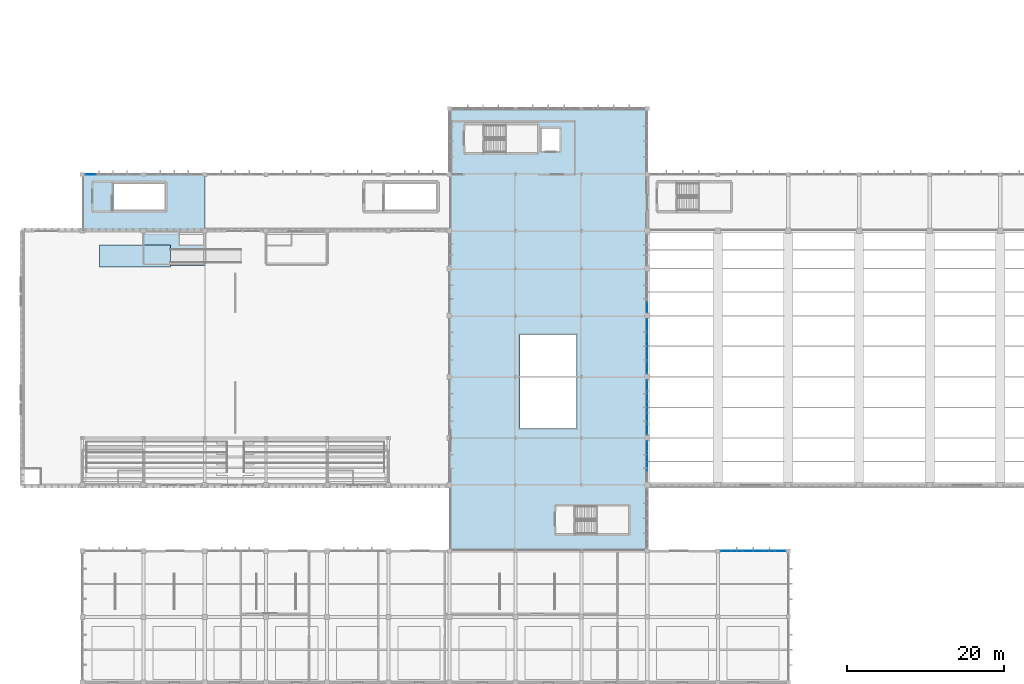
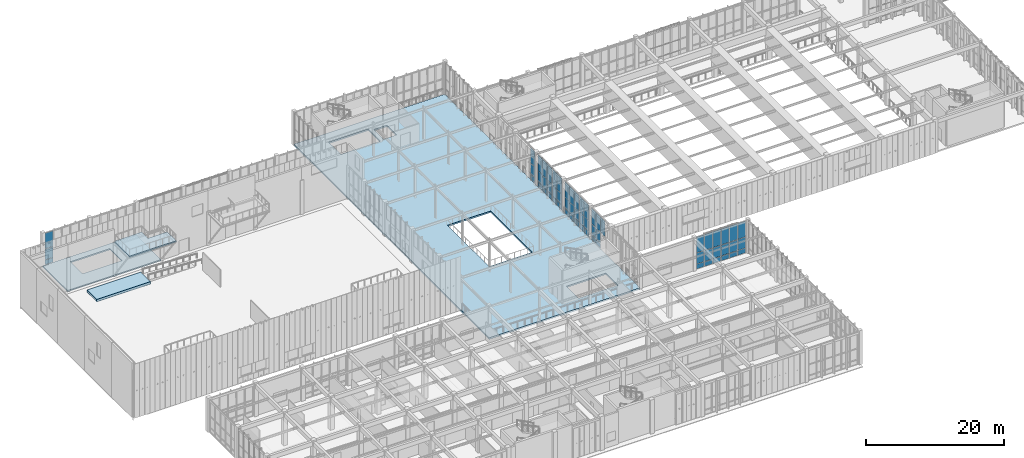
# One storey, part 59 of 105: 61 plates, 4 slabs, 6 elements without a shape of their own.
"""IFC4 building model written with IfcOpenShell, lengths in metres."""

from ifc_helpers import new_model, si_unit, direction, frame, origin, origin_2d, place, context, subcontext, project, spatial, polyline, rectangle, outline, extrude, material, layer, layer_set, type_object, element, aggregate, save


model = new_model("IFC4")

# Units and contexts
model_context = context("Model", 3, precision=1e-05, world=origin(), true_north=direction((0.0, 1.0)))
body_context = subcontext(model_context, "Body", "Model", "MODEL_VIEW")
ifc_project = project(units=[si_unit("LENGTHUNIT", "METRE"), si_unit("AREAUNIT", "SQUARE_METRE"), si_unit("VOLUMEUNIT", "CUBIC_METRE"), si_unit("PLANEANGLEUNIT", "RADIAN"), si_unit("MASSUNIT", "GRAM", prefix="KILO")], contexts=[model_context])

# Site, building, storey
site_placement = place(None, origin())
site = spatial("IfcSite", under=ifc_project, at=site_placement, CompositionType="ELEMENT")
building_placement = place(site_placement, origin())
building = spatial("IfcBuilding", under=site, at=building_placement, Name="Tizgana Railside Sports Hall", CompositionType="ELEMENT")
storey_placement = place(building_placement, frame((0.0, 0.0, 6.0)))
storey = spatial("IfcBuildingStorey", under=building, at=storey_placement, Name="L01", CompositionType="ELEMENT", Elevation=6.0)

# Curtain wall, plates
ifc_material_1 = material(Name="Anodised aluminium and glass", Category="aluminium")
curtain_wall_type_1 = type_object("IfcCurtainWallType", Name="Unitised Curtain Wall Foyer 1300", PredefinedType="NOTDEFINED", material=ifc_material_1)
curtain_wall_1_placement = place(storey_placement, origin())
curtain_wall_1 = element("IfcCurtainWall", 1, at=curtain_wall_1_placement, inside=storey, type_object=curtain_wall_type_1, Name="L01 Curtain Wall CW-0009", PredefinedType="NOTDEFINED")
ifc_material_2 = material(Name="Double low-E laminated glass", Category="glass")
ifc_layer_1 = layer(ifc_material_2, 0.033935546875, Name="Double low-E laminated glass")
ifc_layer_set_1 = layer_set([ifc_layer_1], Name="Double low-E laminated glass")
plate_type_1 = type_object("IfcPlateType", Name="Acoustic Laminated Glazing Panel 34", PredefinedType="CURTAIN_PANEL", material=ifc_layer_set_1)
plate_1_placement = place(storey_placement, frame((8.8603515625, 80.39990234375, 0.06494140625), z_axis=(0.0, 0.0, 1.0), x_axis=(1.0, 0.0, 0.0)))
plate_1 = element("IfcPlate", 2, at=plate_1_placement, type_object=plate_type_1, Name="CW-02 panel 1.1", PredefinedType="CURTAIN_PANEL", context=body_context, shape_type="SweptSolid", body=[
    extrude(rectangle(XDim=1.33056640625, YDim=0.033935546875, at=origin_2d()), origin(), (0.0, 0.0, 1.0), 0.802490234375),
])
plate_2_placement = place(storey_placement, frame((8.8603515625, 80.39990234375, 0.9326171875), z_axis=(0.0, 0.0, 1.0), x_axis=(1.0, 0.0, 0.0)))
plate_2 = element("IfcPlate", 3, at=plate_2_placement, type_object=plate_type_1, Name="CW-02 panel 1.2", PredefinedType="CURTAIN_PANEL", context=body_context, shape_type="SweptSolid", body=[
    extrude(rectangle(XDim=1.33056640625, YDim=0.033935546875, at=origin_2d()), origin(), (0.0, 0.0, 1.0), 1.885009765625),
])
plate_3_placement = place(storey_placement, frame((8.8603515625, 80.39990234375, 2.882568359375), z_axis=(0.0, 0.0, 1.0), x_axis=(1.0, 0.0, 0.0)))
plate_3 = element("IfcPlate", 4, at=plate_3_placement, type_object=plate_type_1, Name="CW-02 panel 1.3", PredefinedType="CURTAIN_PANEL", context=body_context, shape_type="SweptSolid", body=[
    extrude(rectangle(XDim=1.33056640625, YDim=0.033935546875, at=origin_2d()), origin(), (0.0, 0.0, 1.0), 2.75244140625),
])
aggregate(curtain_wall_1, [plate_1, plate_2, plate_3])

curtain_wall_2_placement = place(storey_placement, origin())
curtain_wall_2 = element("IfcCurtainWall", 5, at=curtain_wall_2_placement, inside=storey, type_object=curtain_wall_type_1, Name="L01 Curtain Wall CW-0161", PredefinedType="NOTDEFINED")
plate_4_placement = place(storey_placement, frame((79.800048828125, 47.90283203125, 0.05517578125), z_axis=(0.0, 0.0, 1.0), x_axis=(0.0, 1.0, 0.0)))
plate_4 = element("IfcPlate", 6, at=plate_4_placement, type_object=plate_type_1, Name="CW-02 panel 1.1", PredefinedType="CURTAIN_PANEL", context=body_context, shape_type="SweptSolid", body=[
    extrude(rectangle(XDim=1.29541015625, YDim=0.033935546875, at=origin_2d()), origin(), (0.0, 0.0, 1.0), 0.8173828125),
])
plate_5_placement = place(storey_placement, frame((79.800048828125, 47.90283203125, 0.927734375), z_axis=(0.0, 0.0, 1.0), x_axis=(0.0, 1.0, 0.0)))
plate_5 = element("IfcPlate", 7, at=plate_5_placement, type_object=plate_type_1, Name="CW-02 panel 1.2", PredefinedType="CURTAIN_PANEL", context=body_context, shape_type="SweptSolid", body=[
    extrude(rectangle(XDim=1.29541015625, YDim=0.033935546875, at=origin_2d()), origin(), (0.0, 0.0, 1.0), 1.889892578125),
])
plate_6_placement = place(storey_placement, frame((79.800048828125, 47.90283203125, 2.87255859375), z_axis=(0.0, 0.0, 1.0), x_axis=(0.0, 1.0, 0.0)))
plate_6 = element("IfcPlate", 8, at=plate_6_placement, type_object=plate_type_1, Name="CW-02 panel 1.3", PredefinedType="CURTAIN_PANEL", context=body_context, shape_type="SweptSolid", body=[
    extrude(rectangle(XDim=1.29541015625, YDim=0.033935546875, at=origin_2d()), origin(), (0.0, 0.0, 1.0), 2.762451171875),
])
plate_7_placement = place(storey_placement, frame((79.800048828125, 49.2919921875, 0.05517578125), z_axis=(0.0, 0.0, 1.0), x_axis=(0.0, 1.0, 0.0)))
plate_7 = element("IfcPlate", 9, at=plate_7_placement, type_object=plate_type_1, Name="CW-02 panel 2.1", PredefinedType="CURTAIN_PANEL", context=body_context, shape_type="SweptSolid", body=[
    extrude(rectangle(XDim=1.3330078125, YDim=0.033935546875, at=origin_2d()), origin(), (0.0, 0.0, 1.0), 0.8173828125),
])
plate_8_placement = place(storey_placement, frame((79.800048828125, 49.2919921875, 0.927734375), z_axis=(0.0, 0.0, 1.0), x_axis=(0.0, 1.0, 0.0)))
plate_8 = element("IfcPlate", 10, at=plate_8_placement, type_object=plate_type_1, Name="CW-02 panel 2.2", PredefinedType="CURTAIN_PANEL", context=body_context, shape_type="SweptSolid", body=[
    extrude(rectangle(XDim=1.3330078125, YDim=0.033935546875, at=origin_2d()), origin(), (0.0, 0.0, 1.0), 1.889892578125),
])
plate_9_placement = place(storey_placement, frame((79.800048828125, 49.2919921875, 2.87255859375), z_axis=(0.0, 0.0, 1.0), x_axis=(0.0, 1.0, 0.0)))
plate_9 = element("IfcPlate", 11, at=plate_9_placement, type_object=plate_type_1, Name="CW-02 panel 2.3", PredefinedType="CURTAIN_PANEL", context=body_context, shape_type="SweptSolid", body=[
    extrude(rectangle(XDim=1.3330078125, YDim=0.033935546875, at=origin_2d()), origin(), (0.0, 0.0, 1.0), 2.762451171875),
])
plate_10_placement = place(storey_placement, frame((79.800048828125, 50.699951171875, 0.05517578125), z_axis=(0.0, 0.0, 1.0), x_axis=(0.0, 1.0, 0.0)))
plate_10 = element("IfcPlate", 12, at=plate_10_placement, type_object=plate_type_1, Name="CW-02 panel 3.1", PredefinedType="CURTAIN_PANEL", context=body_context, shape_type="SweptSolid", body=[
    extrude(rectangle(XDim=1.3330078125, YDim=0.033935546875, at=origin_2d()), origin(), (0.0, 0.0, 1.0), 0.8173828125),
])
plate_11_placement = place(storey_placement, frame((79.800048828125, 50.699951171875, 0.927734375), z_axis=(0.0, 0.0, 1.0), x_axis=(0.0, 1.0, 0.0)))
plate_11 = element("IfcPlate", 13, at=plate_11_placement, type_object=plate_type_1, Name="CW-02 panel 3.2", PredefinedType="CURTAIN_PANEL", context=body_context, shape_type="SweptSolid", body=[
    extrude(rectangle(XDim=1.3330078125, YDim=0.033935546875, at=origin_2d()), origin(), (0.0, 0.0, 1.0), 1.889892578125),
])
plate_12_placement = place(storey_placement, frame((79.800048828125, 50.699951171875, 2.87255859375), z_axis=(0.0, 0.0, 1.0), x_axis=(0.0, 1.0, 0.0)))
plate_12 = element("IfcPlate", 14, at=plate_12_placement, type_object=plate_type_1, Name="CW-02 panel 3.3", PredefinedType="CURTAIN_PANEL", context=body_context, shape_type="SweptSolid", body=[
    extrude(rectangle(XDim=1.3330078125, YDim=0.033935546875, at=origin_2d()), origin(), (0.0, 0.0, 1.0), 2.762451171875),
])
plate_13_placement = place(storey_placement, frame((79.800048828125, 52.10791015625, 0.05517578125), z_axis=(0.0, 0.0, 1.0), x_axis=(0.0, 1.0, 0.0)))
plate_13 = element("IfcPlate", 15, at=plate_13_placement, type_object=plate_type_1, Name="CW-02 panel 4.1", PredefinedType="CURTAIN_PANEL", context=body_context, shape_type="SweptSolid", body=[
    extrude(rectangle(XDim=1.3330078125, YDim=0.033935546875, at=origin_2d()), origin(), (0.0, 0.0, 1.0), 0.8173828125),
])
plate_14_placement = place(storey_placement, frame((79.800048828125, 52.10791015625, 0.927734375), z_axis=(0.0, 0.0, 1.0), x_axis=(0.0, 1.0, 0.0)))
plate_14 = element("IfcPlate", 16, at=plate_14_placement, type_object=plate_type_1, Name="CW-02 panel 4.2", PredefinedType="CURTAIN_PANEL", context=body_context, shape_type="SweptSolid", body=[
    extrude(rectangle(XDim=1.3330078125, YDim=0.033935546875, at=origin_2d()), origin(), (0.0, 0.0, 1.0), 1.889892578125),
])
plate_15_placement = place(storey_placement, frame((79.800048828125, 52.10791015625, 2.87255859375), z_axis=(0.0, 0.0, 1.0), x_axis=(0.0, 1.0, 0.0)))
plate_15 = element("IfcPlate", 17, at=plate_15_placement, type_object=plate_type_1, Name="CW-02 panel 4.3", PredefinedType="CURTAIN_PANEL", context=body_context, shape_type="SweptSolid", body=[
    extrude(rectangle(XDim=1.3330078125, YDim=0.033935546875, at=origin_2d()), origin(), (0.0, 0.0, 1.0), 2.762451171875),
])
plate_16_placement = place(storey_placement, frame((79.800048828125, 53.497314453125, 0.05517578125), z_axis=(0.0, 0.0, 1.0), x_axis=(0.0, 1.0, 0.0)))
plate_16 = element("IfcPlate", 18, at=plate_16_placement, type_object=plate_type_1, Name="CW-02 panel 5.1", PredefinedType="CURTAIN_PANEL", context=body_context, shape_type="SweptSolid", body=[
    extrude(rectangle(XDim=1.29541015625, YDim=0.033935546875, at=origin_2d()), origin(), (0.0, 0.0, 1.0), 0.8173828125),
])
plate_17_placement = place(storey_placement, frame((79.800048828125, 53.497314453125, 0.927734375), z_axis=(0.0, 0.0, 1.0), x_axis=(0.0, 1.0, 0.0)))
plate_17 = element("IfcPlate", 19, at=plate_17_placement, type_object=plate_type_1, Name="CW-02 panel 5.2", PredefinedType="CURTAIN_PANEL", context=body_context, shape_type="SweptSolid", body=[
    extrude(rectangle(XDim=1.29541015625, YDim=0.033935546875, at=origin_2d()), origin(), (0.0, 0.0, 1.0), 1.889892578125),
])
plate_18_placement = place(storey_placement, frame((79.800048828125, 53.497314453125, 2.87255859375), z_axis=(0.0, 0.0, 1.0), x_axis=(0.0, 1.0, 0.0)))
plate_18 = element("IfcPlate", 20, at=plate_18_placement, type_object=plate_type_1, Name="CW-02 panel 5.3", PredefinedType="CURTAIN_PANEL", context=body_context, shape_type="SweptSolid", body=[
    extrude(rectangle(XDim=1.29541015625, YDim=0.033935546875, at=origin_2d()), origin(), (0.0, 0.0, 1.0), 2.762451171875),
])
aggregate(curtain_wall_2, [plate_4, plate_5, plate_6, plate_7, plate_8, plate_9, plate_10, plate_11, plate_12, plate_13, plate_14, plate_15, plate_16, plate_17, plate_18])

curtain_wall_type_2 = type_object("IfcCurtainWallType", Name="Unitised Curtain Wall Passage 1800", PredefinedType="NOTDEFINED", material=ifc_material_1)
curtain_wall_3_placement = place(storey_placement, origin())
curtain_wall_3 = element("IfcCurtainWall", 21, at=curtain_wall_3_placement, inside=storey, type_object=curtain_wall_type_2, Name="L01 Curtain Wall CW-0165", PredefinedType="NOTDEFINED")
plate_19_placement = place(storey_placement, frame((79.800048828125, 63.451171875, 0.06494140625), z_axis=(0.0, 0.0, 1.0), x_axis=(0.0, 1.0, 0.0)))
plate_19 = element("IfcPlate", 22, at=plate_19_placement, type_object=plate_type_1, Name="CW-06 panel 1.1", PredefinedType="CURTAIN_PANEL", context=body_context, shape_type="SweptSolid", body=[
    extrude(rectangle(XDim=1.21240234375, YDim=0.033935546875, at=origin_2d()), origin(), (0.0, 0.0, 1.0), 0.802490234375),
])
plate_20_placement = place(storey_placement, frame((79.800048828125, 63.451171875, 0.9326171875), z_axis=(0.0, 0.0, 1.0), x_axis=(0.0, 1.0, 0.0)))
plate_20 = element("IfcPlate", 23, at=plate_20_placement, type_object=plate_type_1, Name="CW-06 panel 1.2", PredefinedType="CURTAIN_PANEL", context=body_context, shape_type="SweptSolid", body=[
    extrude(rectangle(XDim=1.21240234375, YDim=0.033935546875, at=origin_2d()), origin(), (0.0, 0.0, 1.0), 1.8798828125),
])
plate_21_placement = place(storey_placement, frame((79.800048828125, 63.451171875, 2.87744140625), z_axis=(0.0, 0.0, 1.0), x_axis=(0.0, 1.0, 0.0)))
plate_21 = element("IfcPlate", 24, at=plate_21_placement, type_object=plate_type_1, Name="CW-06 panel 1.3", PredefinedType="CURTAIN_PANEL", context=body_context, shape_type="SweptSolid", body=[
    extrude(rectangle(XDim=1.21240234375, YDim=0.033935546875, at=origin_2d()), origin(), (0.0, 0.0, 1.0), 2.74755859375),
])
aggregate(curtain_wall_3, [plate_19, plate_20, plate_21])

curtain_wall_type_3 = type_object("IfcCurtainWallType", Name="Unitised Curtain Wall EastHall 1500", PredefinedType="NOTDEFINED", material=ifc_material_1)
curtain_wall_4_placement = place(storey_placement, origin())
curtain_wall_4 = element("IfcCurtainWall", 25, at=curtain_wall_4_placement, inside=storey, type_object=curtain_wall_type_3, Name="L01 Curtain Wall CW-0095", PredefinedType="NOTDEFINED")
ifc_layer_2 = layer(ifc_material_2, 0.031982421875, Name="Double low-E laminated glass")
ifc_layer_set_2 = layer_set([ifc_layer_2], Name="Double low-E laminated glass")
plate_type_2 = type_object("IfcPlateType", Name="North-Light Clerestory Glazing Panel 32", PredefinedType="CURTAIN_PANEL", material=ifc_layer_set_2)
plate_22_placement = place(storey_placement, frame((89.84375, 32.39990234375, 0.05517578125), z_axis=(0.0, 0.0, 1.0), x_axis=(1.0, 0.0, 0.0)))
plate_22 = element("IfcPlate", 26, at=plate_22_placement, type_object=plate_type_2, Name="CW-08 panel 1.1", PredefinedType="CURTAIN_PANEL", context=body_context, shape_type="SweptSolid", body=[
    extrude(rectangle(XDim=1.277587890625, YDim=0.031982421875, at=origin_2d()), origin(), (0.0, 0.0, 1.0), 0.8173828125),
])
plate_23_placement = place(storey_placement, frame((89.84375, 32.39990234375, 0.92724609375), z_axis=(0.0, 0.0, 1.0), x_axis=(1.0, 0.0, 0.0)))
plate_23 = element("IfcPlate", 27, at=plate_23_placement, type_object=plate_type_2, Name="CW-08 panel 1.2", PredefinedType="CURTAIN_PANEL", context=body_context, shape_type="SweptSolid", body=[
    extrude(rectangle(XDim=1.277587890625, YDim=0.031982421875, at=origin_2d()), origin(), (0.0, 0.0, 1.0), 1.905029296875),
])
plate_24_placement = place(storey_placement, frame((89.84375, 32.39990234375, 2.8876953125), z_axis=(0.0, 0.0, 1.0), x_axis=(1.0, 0.0, 0.0)))
plate_24 = element("IfcPlate", 28, at=plate_24_placement, type_object=plate_type_2, Name="CW-08 panel 1.3", PredefinedType="CURTAIN_PANEL", context=body_context, shape_type="SweptSolid", body=[
    extrude(rectangle(XDim=1.277587890625, YDim=0.031982421875, at=origin_2d()), origin(), (0.0, 0.0, 1.0), 2.777587890625),
])
plate_25_placement = place(storey_placement, frame((91.215087890625, 32.39990234375, 0.05517578125), z_axis=(0.0, 0.0, 1.0), x_axis=(1.0, 0.0, 0.0)))
plate_25 = element("IfcPlate", 29, at=plate_25_placement, type_object=plate_type_2, Name="CW-08 panel 2.1", PredefinedType="CURTAIN_PANEL", context=body_context, shape_type="SweptSolid", body=[
    extrude(rectangle(XDim=1.31494140625, YDim=0.031982421875, at=origin_2d()), origin(), (0.0, 0.0, 1.0), 0.8173828125),
])
plate_26_placement = place(storey_placement, frame((91.215087890625, 32.39990234375, 0.92724609375), z_axis=(0.0, 0.0, 1.0), x_axis=(1.0, 0.0, 0.0)))
plate_26 = element("IfcPlate", 30, at=plate_26_placement, type_object=plate_type_2, Name="CW-08 panel 2.2", PredefinedType="CURTAIN_PANEL", context=body_context, shape_type="SweptSolid", body=[
    extrude(rectangle(XDim=1.31494140625, YDim=0.031982421875, at=origin_2d()), origin(), (0.0, 0.0, 1.0), 1.905029296875),
])
plate_27_placement = place(storey_placement, frame((91.215087890625, 32.39990234375, 2.8876953125), z_axis=(0.0, 0.0, 1.0), x_axis=(1.0, 0.0, 0.0)))
plate_27 = element("IfcPlate", 31, at=plate_27_placement, type_object=plate_type_2, Name="CW-08 panel 2.3", PredefinedType="CURTAIN_PANEL", context=body_context, shape_type="SweptSolid", body=[
    extrude(rectangle(XDim=1.31494140625, YDim=0.031982421875, at=origin_2d()), origin(), (0.0, 0.0, 1.0), 2.777587890625),
])
plate_28_placement = place(storey_placement, frame((92.60498046875, 32.39990234375, 0.05517578125), z_axis=(0.0, 0.0, 1.0), x_axis=(1.0, 0.0, 0.0)))
plate_28 = element("IfcPlate", 32, at=plate_28_placement, type_object=plate_type_2, Name="CW-08 panel 3.1", PredefinedType="CURTAIN_PANEL", context=body_context, shape_type="SweptSolid", body=[
    extrude(rectangle(XDim=1.31494140625, YDim=0.031982421875, at=origin_2d()), origin(), (0.0, 0.0, 1.0), 0.8173828125),
])
plate_29_placement = place(storey_placement, frame((92.60498046875, 32.39990234375, 0.92724609375), z_axis=(0.0, 0.0, 1.0), x_axis=(1.0, 0.0, 0.0)))
plate_29 = element("IfcPlate", 33, at=plate_29_placement, type_object=plate_type_2, Name="CW-08 panel 3.2", PredefinedType="CURTAIN_PANEL", context=body_context, shape_type="SweptSolid", body=[
    extrude(rectangle(XDim=1.31494140625, YDim=0.031982421875, at=origin_2d()), origin(), (0.0, 0.0, 1.0), 1.905029296875),
])
plate_30_placement = place(storey_placement, frame((92.60498046875, 32.39990234375, 2.8876953125), z_axis=(0.0, 0.0, 1.0), x_axis=(1.0, 0.0, 0.0)))
plate_30 = element("IfcPlate", 34, at=plate_30_placement, type_object=plate_type_2, Name="CW-08 panel 3.3", PredefinedType="CURTAIN_PANEL", context=body_context, shape_type="SweptSolid", body=[
    extrude(rectangle(XDim=1.31494140625, YDim=0.031982421875, at=origin_2d()), origin(), (0.0, 0.0, 1.0), 2.777587890625),
])
plate_31_placement = place(storey_placement, frame((93.9951171875, 32.39990234375, 0.05517578125), z_axis=(0.0, 0.0, 1.0), x_axis=(1.0, 0.0, 0.0)))
plate_31 = element("IfcPlate", 35, at=plate_31_placement, type_object=plate_type_2, Name="CW-08 panel 4.1", PredefinedType="CURTAIN_PANEL", context=body_context, shape_type="SweptSolid", body=[
    extrude(rectangle(XDim=1.31494140625, YDim=0.031982421875, at=origin_2d()), origin(), (0.0, 0.0, 1.0), 0.8173828125),
])
plate_32_placement = place(storey_placement, frame((93.9951171875, 32.39990234375, 0.92724609375), z_axis=(0.0, 0.0, 1.0), x_axis=(1.0, 0.0, 0.0)))
plate_32 = element("IfcPlate", 36, at=plate_32_placement, type_object=plate_type_2, Name="CW-08 panel 4.2", PredefinedType="CURTAIN_PANEL", context=body_context, shape_type="SweptSolid", body=[
    extrude(rectangle(XDim=1.31494140625, YDim=0.031982421875, at=origin_2d()), origin(), (0.0, 0.0, 1.0), 1.905029296875),
])
plate_33_placement = place(storey_placement, frame((93.9951171875, 32.39990234375, 2.8876953125), z_axis=(0.0, 0.0, 1.0), x_axis=(1.0, 0.0, 0.0)))
plate_33 = element("IfcPlate", 37, at=plate_33_placement, type_object=plate_type_2, Name="CW-08 panel 4.3", PredefinedType="CURTAIN_PANEL", context=body_context, shape_type="SweptSolid", body=[
    extrude(rectangle(XDim=1.31494140625, YDim=0.031982421875, at=origin_2d()), origin(), (0.0, 0.0, 1.0), 2.777587890625),
])
plate_34_placement = place(storey_placement, frame((95.385009765625, 32.39990234375, 0.05517578125), z_axis=(0.0, 0.0, 1.0), x_axis=(1.0, 0.0, 0.0)))
plate_34 = element("IfcPlate", 38, at=plate_34_placement, type_object=plate_type_2, Name="CW-08 panel 5.1", PredefinedType="CURTAIN_PANEL", context=body_context, shape_type="SweptSolid", body=[
    extrude(rectangle(XDim=1.31494140625, YDim=0.031982421875, at=origin_2d()), origin(), (0.0, 0.0, 1.0), 0.8173828125),
])
plate_35_placement = place(storey_placement, frame((95.385009765625, 32.39990234375, 0.92724609375), z_axis=(0.0, 0.0, 1.0), x_axis=(1.0, 0.0, 0.0)))
plate_35 = element("IfcPlate", 39, at=plate_35_placement, type_object=plate_type_2, Name="CW-08 panel 5.2", PredefinedType="CURTAIN_PANEL", context=body_context, shape_type="SweptSolid", body=[
    extrude(rectangle(XDim=1.31494140625, YDim=0.031982421875, at=origin_2d()), origin(), (0.0, 0.0, 1.0), 1.905029296875),
])
plate_36_placement = place(storey_placement, frame((95.385009765625, 32.39990234375, 2.8876953125), z_axis=(0.0, 0.0, 1.0), x_axis=(1.0, 0.0, 0.0)))
plate_36 = element("IfcPlate", 40, at=plate_36_placement, type_object=plate_type_2, Name="CW-08 panel 5.3", PredefinedType="CURTAIN_PANEL", context=body_context, shape_type="SweptSolid", body=[
    extrude(rectangle(XDim=1.31494140625, YDim=0.031982421875, at=origin_2d()), origin(), (0.0, 0.0, 1.0), 2.777587890625),
])
plate_37_placement = place(storey_placement, frame((96.75634765625, 32.39990234375, 0.05517578125), z_axis=(0.0, 0.0, 1.0), x_axis=(1.0, 0.0, 0.0)))
plate_37 = element("IfcPlate", 41, at=plate_37_placement, type_object=plate_type_2, Name="CW-08 panel 6.1", PredefinedType="CURTAIN_PANEL", context=body_context, shape_type="SweptSolid", body=[
    extrude(rectangle(XDim=1.277587890625, YDim=0.031982421875, at=origin_2d()), origin(), (0.0, 0.0, 1.0), 0.8173828125),
])
plate_38_placement = place(storey_placement, frame((96.75634765625, 32.39990234375, 0.92724609375), z_axis=(0.0, 0.0, 1.0), x_axis=(1.0, 0.0, 0.0)))
plate_38 = element("IfcPlate", 42, at=plate_38_placement, type_object=plate_type_2, Name="CW-08 panel 6.2", PredefinedType="CURTAIN_PANEL", context=body_context, shape_type="SweptSolid", body=[
    extrude(rectangle(XDim=1.277587890625, YDim=0.031982421875, at=origin_2d()), origin(), (0.0, 0.0, 1.0), 1.905029296875),
])
plate_39_placement = place(storey_placement, frame((96.75634765625, 32.39990234375, 2.8876953125), z_axis=(0.0, 0.0, 1.0), x_axis=(1.0, 0.0, 0.0)))
plate_39 = element("IfcPlate", 43, at=plate_39_placement, type_object=plate_type_2, Name="CW-08 panel 6.3", PredefinedType="CURTAIN_PANEL", context=body_context, shape_type="SweptSolid", body=[
    extrude(rectangle(XDim=1.277587890625, YDim=0.031982421875, at=origin_2d()), origin(), (0.0, 0.0, 1.0), 2.777587890625),
])
aggregate(curtain_wall_4, [plate_22, plate_23, plate_24, plate_25, plate_26, plate_27, plate_28, plate_29, plate_30, plate_31, plate_32, plate_33, plate_34, plate_35, plate_36, plate_37, plate_38, plate_39])

curtain_wall_5_placement = place(storey_placement, origin())
curtain_wall_5 = element("IfcCurtainWall", 44, at=curtain_wall_5_placement, inside=storey, type_object=curtain_wall_type_3, Name="L01 Curtain Wall CW-0159", PredefinedType="NOTDEFINED")
plate_40_placement = place(storey_placement, frame((79.800048828125, 43.16064453125, 2.87744140625), z_axis=(0.0, 0.0, 1.0), x_axis=(0.0, 1.0, 0.0)))
plate_40 = element("IfcPlate", 45, at=plate_40_placement, type_object=plate_type_2, Name="CW-08 panel 2.3", PredefinedType="CURTAIN_PANEL", context=body_context, shape_type="SweptSolid", body=[
    extrude(rectangle(XDim=1.23876953125, YDim=0.031982421875, at=origin_2d()), origin(), (0.0, 0.0, 1.0), 2.74755859375),
])
plate_41_placement = place(storey_placement, frame((79.800048828125, 44.46435546875, 0.06494140625), z_axis=(0.0, 0.0, 1.0), x_axis=(0.0, 1.0, 0.0)))
plate_41 = element("IfcPlate", 46, at=plate_41_placement, type_object=plate_type_2, Name="CW-08 panel 3.1", PredefinedType="CURTAIN_PANEL", context=body_context, shape_type="SweptSolid", body=[
    extrude(rectangle(XDim=1.23876953125, YDim=0.031982421875, at=origin_2d()), origin(), (0.0, 0.0, 1.0), 0.802490234375),
])
plate_42_placement = place(storey_placement, frame((79.800048828125, 44.46435546875, 0.9326171875), z_axis=(0.0, 0.0, 1.0), x_axis=(0.0, 1.0, 0.0)))
plate_42 = element("IfcPlate", 47, at=plate_42_placement, type_object=plate_type_2, Name="CW-08 panel 3.2", PredefinedType="CURTAIN_PANEL", context=body_context, shape_type="SweptSolid", body=[
    extrude(rectangle(XDim=1.23876953125, YDim=0.031982421875, at=origin_2d()), origin(), (0.0, 0.0, 1.0), 1.8798828125),
])
plate_43_placement = place(storey_placement, frame((79.800048828125, 44.46435546875, 2.87744140625), z_axis=(0.0, 0.0, 1.0), x_axis=(0.0, 1.0, 0.0)))
plate_43 = element("IfcPlate", 48, at=plate_43_placement, type_object=plate_type_2, Name="CW-08 panel 3.3", PredefinedType="CURTAIN_PANEL", context=body_context, shape_type="SweptSolid", body=[
    extrude(rectangle(XDim=1.23876953125, YDim=0.031982421875, at=origin_2d()), origin(), (0.0, 0.0, 1.0), 2.74755859375),
])
plate_44_placement = place(storey_placement, frame((79.800048828125, 45.751953125, 0.06494140625), z_axis=(0.0, 0.0, 1.0), x_axis=(0.0, 1.0, 0.0)))
plate_44 = element("IfcPlate", 49, at=plate_44_placement, type_object=plate_type_2, Name="CW-08 panel 4.1", PredefinedType="CURTAIN_PANEL", context=body_context, shape_type="SweptSolid", body=[
    extrude(rectangle(XDim=1.206298828125, YDim=0.031982421875, at=origin_2d()), origin(), (0.0, 0.0, 1.0), 0.802490234375),
])
plate_45_placement = place(storey_placement, frame((79.800048828125, 45.751953125, 0.9326171875), z_axis=(0.0, 0.0, 1.0), x_axis=(0.0, 1.0, 0.0)))
plate_45 = element("IfcPlate", 50, at=plate_45_placement, type_object=plate_type_2, Name="CW-08 panel 4.2", PredefinedType="CURTAIN_PANEL", context=body_context, shape_type="SweptSolid", body=[
    extrude(rectangle(XDim=1.206298828125, YDim=0.031982421875, at=origin_2d()), origin(), (0.0, 0.0, 1.0), 1.8798828125),
])
plate_46_placement = place(storey_placement, frame((79.800048828125, 45.751953125, 2.87744140625), z_axis=(0.0, 0.0, 1.0), x_axis=(0.0, 1.0, 0.0)))
plate_46 = element("IfcPlate", 51, at=plate_46_placement, type_object=plate_type_2, Name="CW-08 panel 4.3", PredefinedType="CURTAIN_PANEL", context=body_context, shape_type="SweptSolid", body=[
    extrude(rectangle(XDim=1.206298828125, YDim=0.031982421875, at=origin_2d()), origin(), (0.0, 0.0, 1.0), 2.74755859375),
])
aggregate(curtain_wall_5, [plate_40, plate_41, plate_42, plate_43, plate_44, plate_45, plate_46])

curtain_wall_type_4 = type_object("IfcCurtainWallType", Name="Unitised Curtain Wall Climbing 1600", PredefinedType="NOTDEFINED", material=ifc_material_1)
curtain_wall_6_placement = place(storey_placement, origin())
curtain_wall_6 = element("IfcCurtainWall", 52, at=curtain_wall_6_placement, inside=storey, type_object=curtain_wall_type_4, Name="L01 Curtain Wall CW-0163", PredefinedType="NOTDEFINED")
plate_47_placement = place(storey_placement, frame((79.800048828125, 55.698974609375, 0.06005859375), z_axis=(0.0, 0.0, 1.0), x_axis=(0.0, 1.0, 0.0)))
plate_47 = element("IfcPlate", 53, at=plate_47_placement, type_object=plate_type_2, Name="CW-04 panel 1.1", PredefinedType="CURTAIN_PANEL", context=body_context, shape_type="SweptSolid", body=[
    extrude(rectangle(XDim=1.318115234375, YDim=0.031982421875, at=origin_2d()), origin(), (0.0, 0.0, 1.0), 0.81005859375),
])
plate_48_placement = place(storey_placement, frame((79.800048828125, 55.698974609375, 0.93017578125), z_axis=(0.0, 0.0, 1.0), x_axis=(0.0, 1.0, 0.0)))
plate_48 = element("IfcPlate", 54, at=plate_48_placement, type_object=plate_type_2, Name="CW-04 panel 1.2", PredefinedType="CURTAIN_PANEL", context=body_context, shape_type="SweptSolid", body=[
    extrude(rectangle(XDim=1.318115234375, YDim=0.031982421875, at=origin_2d()), origin(), (0.0, 0.0, 1.0), 1.885009765625),
])
plate_49_placement = place(storey_placement, frame((79.800048828125, 55.698974609375, 2.875), z_axis=(0.0, 0.0, 1.0), x_axis=(0.0, 1.0, 0.0)))
plate_49 = element("IfcPlate", 55, at=plate_49_placement, type_object=plate_type_2, Name="CW-04 panel 1.3", PredefinedType="CURTAIN_PANEL", context=body_context, shape_type="SweptSolid", body=[
    extrude(rectangle(XDim=1.318115234375, YDim=0.031982421875, at=origin_2d()), origin(), (0.0, 0.0, 1.0), 2.7548828125),
])
plate_50_placement = place(storey_placement, frame((79.800048828125, 57.092041015625, 0.06005859375), z_axis=(0.0, 0.0, 1.0), x_axis=(0.0, 1.0, 0.0)))
plate_50 = element("IfcPlate", 56, at=plate_50_placement, type_object=plate_type_2, Name="CW-04 panel 2.1", PredefinedType="CURTAIN_PANEL", context=body_context, shape_type="SweptSolid", body=[
    extrude(rectangle(XDim=1.347900390625, YDim=0.031982421875, at=origin_2d()), origin(), (0.0, 0.0, 1.0), 0.81005859375),
])
plate_51_placement = place(storey_placement, frame((79.800048828125, 57.092041015625, 0.93017578125), z_axis=(0.0, 0.0, 1.0), x_axis=(0.0, 1.0, 0.0)))
plate_51 = element("IfcPlate", 57, at=plate_51_placement, type_object=plate_type_2, Name="CW-04 panel 2.2", PredefinedType="CURTAIN_PANEL", context=body_context, shape_type="SweptSolid", body=[
    extrude(rectangle(XDim=1.347900390625, YDim=0.031982421875, at=origin_2d()), origin(), (0.0, 0.0, 1.0), 1.885009765625),
])
plate_52_placement = place(storey_placement, frame((79.800048828125, 57.092041015625, 2.875), z_axis=(0.0, 0.0, 1.0), x_axis=(0.0, 1.0, 0.0)))
plate_52 = element("IfcPlate", 58, at=plate_52_placement, type_object=plate_type_2, Name="CW-04 panel 2.3", PredefinedType="CURTAIN_PANEL", context=body_context, shape_type="SweptSolid", body=[
    extrude(rectangle(XDim=1.347900390625, YDim=0.031982421875, at=origin_2d()), origin(), (0.0, 0.0, 1.0), 2.7548828125),
])
plate_53_placement = place(storey_placement, frame((79.800048828125, 58.5, 0.06005859375), z_axis=(0.0, 0.0, 1.0), x_axis=(0.0, 1.0, 0.0)))
plate_53 = element("IfcPlate", 59, at=plate_53_placement, type_object=plate_type_2, Name="CW-04 panel 3.1", PredefinedType="CURTAIN_PANEL", context=body_context, shape_type="SweptSolid", body=[
    extrude(rectangle(XDim=1.347900390625, YDim=0.031982421875, at=origin_2d()), origin(), (0.0, 0.0, 1.0), 0.81005859375),
])
plate_54_placement = place(storey_placement, frame((79.800048828125, 58.5, 0.93017578125), z_axis=(0.0, 0.0, 1.0), x_axis=(0.0, 1.0, 0.0)))
plate_54 = element("IfcPlate", 60, at=plate_54_placement, type_object=plate_type_2, Name="CW-04 panel 3.2", PredefinedType="CURTAIN_PANEL", context=body_context, shape_type="SweptSolid", body=[
    extrude(rectangle(XDim=1.347900390625, YDim=0.031982421875, at=origin_2d()), origin(), (0.0, 0.0, 1.0), 1.885009765625),
])
plate_55_placement = place(storey_placement, frame((79.800048828125, 58.5, 2.875), z_axis=(0.0, 0.0, 1.0), x_axis=(0.0, 1.0, 0.0)))
plate_55 = element("IfcPlate", 61, at=plate_55_placement, type_object=plate_type_2, Name="CW-04 panel 3.3", PredefinedType="CURTAIN_PANEL", context=body_context, shape_type="SweptSolid", body=[
    extrude(rectangle(XDim=1.347900390625, YDim=0.031982421875, at=origin_2d()), origin(), (0.0, 0.0, 1.0), 2.7548828125),
])
plate_56_placement = place(storey_placement, frame((79.800048828125, 59.907958984375, 0.06005859375), z_axis=(0.0, 0.0, 1.0), x_axis=(0.0, 1.0, 0.0)))
plate_56 = element("IfcPlate", 62, at=plate_56_placement, type_object=plate_type_2, Name="CW-04 panel 4.1", PredefinedType="CURTAIN_PANEL", context=body_context, shape_type="SweptSolid", body=[
    extrude(rectangle(XDim=1.347900390625, YDim=0.031982421875, at=origin_2d()), origin(), (0.0, 0.0, 1.0), 0.81005859375),
])
plate_57_placement = place(storey_placement, frame((79.800048828125, 59.907958984375, 0.93017578125), z_axis=(0.0, 0.0, 1.0), x_axis=(0.0, 1.0, 0.0)))
plate_57 = element("IfcPlate", 63, at=plate_57_placement, type_object=plate_type_2, Name="CW-04 panel 4.2", PredefinedType="CURTAIN_PANEL", context=body_context, shape_type="SweptSolid", body=[
    extrude(rectangle(XDim=1.347900390625, YDim=0.031982421875, at=origin_2d()), origin(), (0.0, 0.0, 1.0), 1.885009765625),
])
plate_58_placement = place(storey_placement, frame((79.800048828125, 59.907958984375, 2.875), z_axis=(0.0, 0.0, 1.0), x_axis=(0.0, 1.0, 0.0)))
plate_58 = element("IfcPlate", 64, at=plate_58_placement, type_object=plate_type_2, Name="CW-04 panel 4.3", PredefinedType="CURTAIN_PANEL", context=body_context, shape_type="SweptSolid", body=[
    extrude(rectangle(XDim=1.347900390625, YDim=0.031982421875, at=origin_2d()), origin(), (0.0, 0.0, 1.0), 2.7548828125),
])
plate_59_placement = place(storey_placement, frame((79.800048828125, 61.301025390625, 0.06005859375), z_axis=(0.0, 0.0, 1.0), x_axis=(0.0, 1.0, 0.0)))
plate_59 = element("IfcPlate", 65, at=plate_59_placement, type_object=plate_type_2, Name="CW-04 panel 5.1", PredefinedType="CURTAIN_PANEL", context=body_context, shape_type="SweptSolid", body=[
    extrude(rectangle(XDim=1.318115234375, YDim=0.031982421875, at=origin_2d()), origin(), (0.0, 0.0, 1.0), 0.81005859375),
])
plate_60_placement = place(storey_placement, frame((79.800048828125, 61.301025390625, 0.93017578125), z_axis=(0.0, 0.0, 1.0), x_axis=(0.0, 1.0, 0.0)))
plate_60 = element("IfcPlate", 66, at=plate_60_placement, type_object=plate_type_2, Name="CW-04 panel 5.2", PredefinedType="CURTAIN_PANEL", context=body_context, shape_type="SweptSolid", body=[
    extrude(rectangle(XDim=1.318115234375, YDim=0.031982421875, at=origin_2d()), origin(), (0.0, 0.0, 1.0), 1.885009765625),
])
plate_61_placement = place(storey_placement, frame((79.800048828125, 61.301025390625, 2.875), z_axis=(0.0, 0.0, 1.0), x_axis=(0.0, 1.0, 0.0)))
plate_61 = element("IfcPlate", 67, at=plate_61_placement, type_object=plate_type_2, Name="CW-04 panel 5.3", PredefinedType="CURTAIN_PANEL", context=body_context, shape_type="SweptSolid", body=[
    extrude(rectangle(XDim=1.318115234375, YDim=0.031982421875, at=origin_2d()), origin(), (0.0, 0.0, 1.0), 2.7548828125),
])
aggregate(curtain_wall_6, [plate_47, plate_48, plate_49, plate_50, plate_51, plate_52, plate_53, plate_54, plate_55, plate_56, plate_57, plate_58, plate_59, plate_60, plate_61])

# Slabs
ifc_material_3 = material(Name="Concrete C35/45", Category="concrete")
ifc_layer_3 = layer(ifc_material_3, 0.27001953125, Name="Concrete C35/45")
ifc_layer_set_3 = layer_set([ifc_layer_3], Name="Concrete C35/45")
slab_type_1 = type_object("IfcSlabType", Name="Suspended Concourse Slab 270", PredefinedType="FLOOR", material=ifc_layer_set_3)
slab_1_placement = place(storey_placement, frame((0.0, 0.0, -0.27001953125)))
element("IfcSlab", 68, at=slab_1_placement, inside=storey, type_object=slab_type_1, Name="L01 V4 Mezzanine Gallery Slab SLB-0018", PredefinedType="FLOOR", context=body_context, shape_type="SweptSolid", body=[
    extrude(outline(polyline([(54.60009765625, 32.39990234375), (79.800048828125, 32.39990234375), (79.800048828125, 88.800048828125), (54.60009765625, 88.800048828125), (54.60009765625, 32.39990234375)]), holes=[polyline([(59.179931640625, 83.199951171875), (65.800048828125, 83.199951171875), (65.800048828125, 86.699951171875), (59.179931640625, 86.699951171875), (59.179931640625, 83.199951171875)]), polyline([(66.39990234375, 83.39990234375), (68.60009765625, 83.39990234375), (68.60009765625, 86.199951171875), (66.39990234375, 86.199951171875), (66.39990234375, 83.39990234375)]), polyline([(70.780029296875, 34.60009765625), (77.39990234375, 34.60009765625), (77.39990234375, 38.10009765625), (70.780029296875, 38.10009765625), (70.780029296875, 34.60009765625)]), polyline([(63.60009765625, 48.0), (70.800048828125, 48.0), (70.800048828125, 60.0), (63.60009765625, 60.0), (63.60009765625, 48.0)])]), origin(), (0.0, 0.0, 1.0), 0.27001953125),
])
ifc_layer_4 = layer(ifc_material_3, 0.22998046875, Name="Concrete C35/45")
ifc_layer_set_4 = layer_set([ifc_layer_4], Name="Concrete C35/45")
slab_type_2 = type_object("IfcSlabType", Name="Suspended Gallery Floor Slab 230", PredefinedType="FLOOR", material=ifc_layer_set_4)
slab_2_placement = place(storey_placement, frame((0.0, 0.0, -0.22998046875)))
element("IfcSlab", 69, at=slab_2_placement, inside=storey, type_object=slab_type_2, Name="L01 V1 NW Support Slab SLB-0016", PredefinedType="FLOOR", context=body_context, shape_type="SweptSolid", body=[
    extrude(outline(polyline([(7.800048828125, 73.199951171875), (23.39990234375, 73.199951171875), (23.39990234375, 80.39990234375), (7.800048828125, 80.39990234375), (7.800048828125, 73.199951171875)]), holes=[polyline([(11.780029296875, 75.800048828125), (18.39990234375, 75.800048828125), (18.39990234375, 79.300048828125), (11.780029296875, 79.300048828125), (11.780029296875, 75.800048828125)])]), origin(), (0.0, 0.0, 1.0), 0.22998046875),
])
slab_3_placement = place(storey_placement, frame((0.0, 0.0, 5.77001953125)))
element("IfcSlab", 70, at=slab_3_placement, inside=storey, type_object=slab_type_2, Name="L01 V1 Catwalk NW SLB-0117", PredefinedType="FLOOR", context=body_context, shape_type="SweptSolid", body=[
    extrude(outline(polyline([(15.60009765625, 68.800048828125), (23.39990234375, 68.800048828125), (23.39990234375, 71.39990234375), (20.199951171875, 71.39990234375), (20.199951171875, 73.199951171875), (15.60009765625, 73.199951171875), (15.60009765625, 68.800048828125)])), origin(), (0.0, 0.0, 1.0), 0.22998046875),
])
slab_4_placement = place(storey_placement, origin())
element("IfcSlab", 71, at=slab_4_placement, inside=storey, type_object=slab_type_2, Name="L01 Wheelchair Viewing Platform 2", PredefinedType="FLOOR", context=body_context, shape_type="SweptSolid", body=[
    extrude(outline(polyline([(10.0, 68.60009765625), (19.0, 68.60009765625), (19.0, 71.39990234375), (10.0, 71.39990234375), (10.0, 68.60009765625)])), origin(), (0.0, 0.0, 1.0), 0.449951171875),
])

save(model, "model.ifc")
